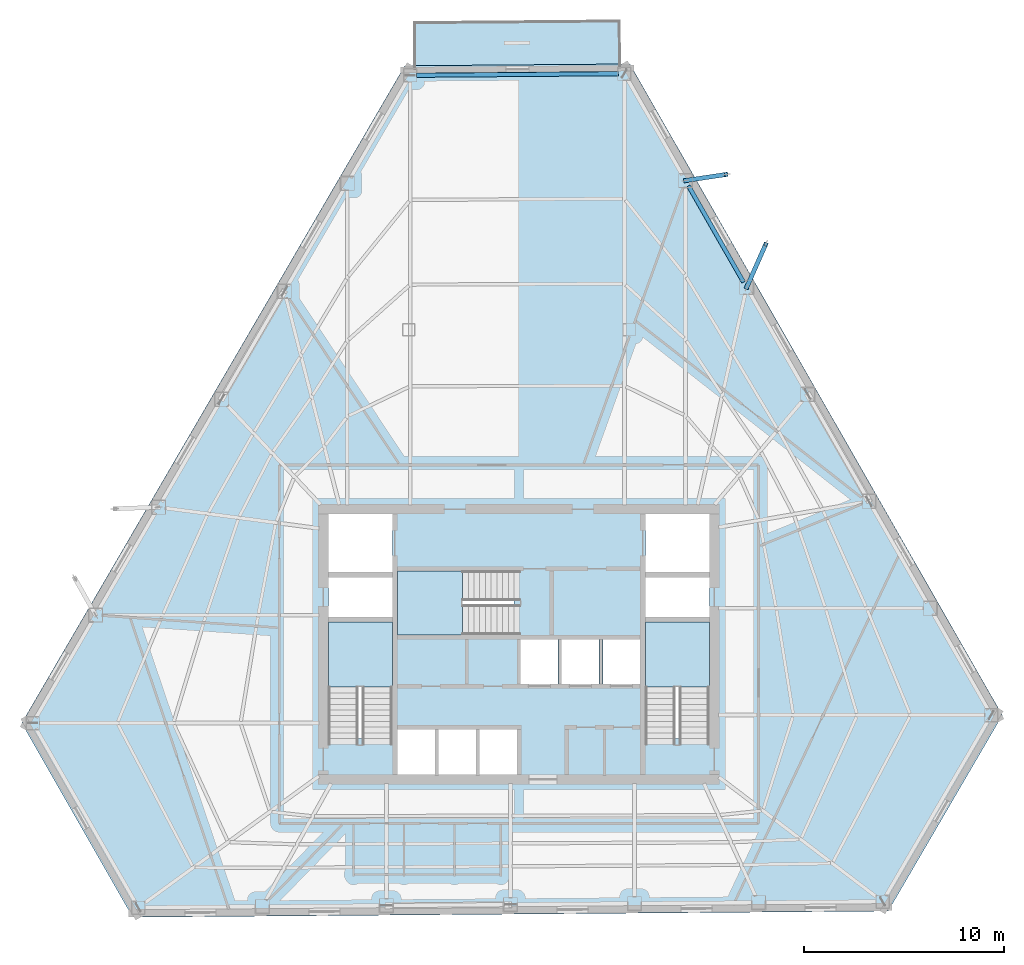
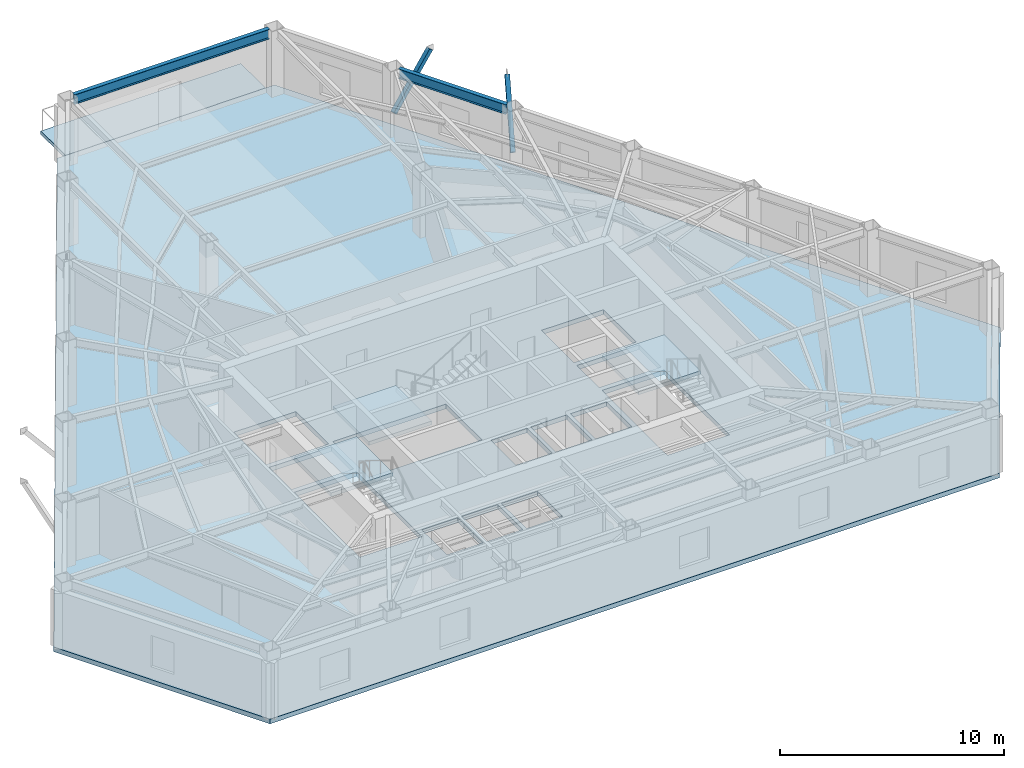
# One storey, part 3 of 12: 5 slabs, 2 beams, 2 members, 3 elements without a shape of their own.
"""IFC4 building model written with IfcOpenShell, lengths in metres."""

from ifc_helpers import new_model, si_unit, direction, frame, origin, origin_2d, place, context, subcontext, project, spatial, polyline, hollow_rectangle, i_section, outline, extrude, material, layer, layer_set, material_profile, profile_set, type_object, element, aggregate, save


model = new_model("IFC4")

# Units and contexts
model_context = context("Model", 3, precision=1e-05, world=origin(), true_north=direction((0.0, 1.0)))
body_context = subcontext(model_context, "Body", "Model", "MODEL_VIEW")
ifc_project = project(units=[si_unit("LENGTHUNIT", "METRE"), si_unit("AREAUNIT", "SQUARE_METRE"), si_unit("VOLUMEUNIT", "CUBIC_METRE"), si_unit("PLANEANGLEUNIT", "RADIAN"), si_unit("MASSUNIT", "GRAM", prefix="KILO")], contexts=[model_context])

# Site, building, storey
site_placement = place(None, origin())
site = spatial("IfcSite", under=ifc_project, at=site_placement, CompositionType="ELEMENT")
building_placement = place(site_placement, origin())
building = spatial("IfcBuilding", under=site, at=building_placement, Name="Kavelnor Concourse Tower", CompositionType="ELEMENT")
storey_placement = place(building_placement, frame((0.0, 0.0, 147.10009765625)))
storey = spatial("IfcBuildingStorey", under=building, at=storey_placement, Name="L37", CompositionType="ELEMENT", Elevation=147.10009765625)

# Beams
ifc_material_1 = material(Name="Steel Grade 350", Category="steel")
ifc_material_profile_1 = material_profile(ifc_material_1, i_section(OverallWidth=0.208984375, OverallDepth=0.532958984375, WebThickness=0.01025390625, FlangeThickness=0.015625, at=origin_2d()), Name="530UB92")
ifc_profile_set_1 = profile_set([ifc_material_profile_1], Name="Steel Grade 350")
beam_type = type_object("IfcBeamType", Name="BM-SPANDREL-Z2", PredefinedType="SPANDREL", material=ifc_profile_set_1)
beam_1_placement = place(storey_placement, frame((42.963623046875, 44.59228515625, 3.33349609375), z_axis=(-0.999967505413, -0.008061520828, 0.0), x_axis=(0.008061520828, -0.999967505413, 0.0)))
element("IfcBeam", 1, at=beam_1_placement, inside=storey, type_object=beam_type, Name="L37 Chamfer Facet Spandrel Beam C0", PredefinedType="SPANDREL", context=body_context, shape_type="SweptSolid", body=[
    extrude(i_section(OverallWidth=0.208984375, OverallDepth=0.532958984375, WebThickness=0.01025390625, FlangeThickness=0.015625, at=origin_2d()), origin(), (0.0, 0.0, 1.0), 10.084716796875),
])
beam_2_placement = place(storey_placement, frame((49.2255859375, 34.1796875, 3.33349609375), z_axis=(-0.496475765873, 0.868050582571, 0.0), x_axis=(-0.868050582571, -0.496475765873, 0.0)))
element("IfcBeam", 2, at=beam_2_placement, inside=storey, type_object=beam_type, Name="L37 Perimeter Tube Spandrel Beam F2-B4", PredefinedType="SPANDREL", context=body_context, shape_type="SweptSolid", body=[
    extrude(i_section(OverallWidth=0.208984375, OverallDepth=0.532958984375, WebThickness=0.01025390625, FlangeThickness=0.015625, at=origin_2d()), origin(), (0.0, 0.0, 1.0), 5.54150390625),
])

# Members
ifc_material_profile_2 = material_profile(ifc_material_1, hollow_rectangle(XDim=0.219970703125, YDim=0.219970703125, WallThickness=0.013916015625, at=origin_2d()), Name="SHS 220x220x14")
ifc_profile_set_2 = profile_set([ifc_material_profile_2], Name="Steel Grade 350")
member_type = type_object("IfcMemberType", Name="MBR-BALC-STRUT-220", PredefinedType="STRUT", material=ifc_profile_set_2)
member_1_placement = place(storey_placement, frame((49.377197265625, 33.914794921875, 1.0498046875), z_axis=(0.27159970734, 0.615519683956, 0.739843981955), x_axis=(-0.914892052568, 0.403698565947, 0.0)))
element("IfcMember", 3, at=member_1_placement, inside=storey, type_object=member_type, Name="L37 Tree Balcony Raking Knee Strut 1-A", PredefinedType="STRUT", context=body_context, shape_type="SweptSolid", body=[
    extrude(hollow_rectangle(XDim=0.219970703125, YDim=0.219970703125, WallThickness=0.013916015625, at=origin_2d()), origin(), (0.0, 0.0, 1.0), 3.52099609375),
])
member_2_placement = place(storey_placement, frame((46.322998046875, 39.2548828125, 1.0498046875), z_axis=(0.612643301637, 0.091672097255, 0.785025102493), x_axis=(-0.147986169145, 0.988989430551, 0.0)))
element("IfcMember", 4, at=member_2_placement, inside=storey, type_object=member_type, Name="L37 Tree Balcony Raking Knee Strut 1-B", PredefinedType="STRUT", context=body_context, shape_type="SweptSolid", body=[
    extrude(hollow_rectangle(XDim=0.219970703125, YDim=0.219970703125, WallThickness=0.013916015625, at=origin_2d()), origin(), (0.0, 0.0, 1.0), 3.318359375),
])

# Stair, slab
ifc_material_2 = material(Name="Concrete C40/50", Category="concrete")
stair_type = type_object("IfcStairType", Name="STR-CORE-1500", PredefinedType="HALF_TURN_STAIR", material=ifc_material_2)
stair_1_placement = place(storey_placement, origin())
stair_1 = element("IfcStair", 5, at=stair_1_placement, inside=storey, type_object=stair_type, Name="L37 ST1", PredefinedType="HALF_TURN_STAIR")
ifc_layer_1 = layer(ifc_material_2, 0.199951171875, Name="Concrete C40/50")
ifc_layer_set_1 = layer_set([ifc_layer_1], Name="Concrete C40/50")
slab_type_1 = type_object("IfcSlabType", Name="SLB-LANDING-200", PredefinedType="LANDING", material=ifc_layer_set_1)
slab_1_placement = place(storey_placement, frame((0.0, 0.0, 1.724853515625)))
slab_1 = element("IfcSlab", 6, at=slab_1_placement, type_object=slab_type_1, Name="ST1 landing 1", PredefinedType="LANDING", context=body_context, shape_type="SweptSolid", body=[
    extrude(outline(polyline([(31.679931640625, 13.949951171875), (31.679931640625, 17.199951171875), (28.47998046875, 17.199951171875), (28.47998046875, 13.949951171875), (31.679931640625, 13.949951171875)])), origin(), (0.0, 0.0, 1.0), 0.199951171875),
])
aggregate(stair_1, [slab_1])

stair_2_placement = place(storey_placement, origin())
stair_2 = element("IfcStair", 7, at=stair_2_placement, inside=storey, type_object=stair_type, Name="L37 ST2", PredefinedType="HALF_TURN_STAIR")
slab_2_placement = place(storey_placement, frame((0.0, 0.0, 1.724853515625)))
slab_2 = element("IfcSlab", 8, at=slab_2_placement, type_object=slab_type_1, Name="ST2 landing 1", PredefinedType="LANDING", context=body_context, shape_type="SweptSolid", body=[
    extrude(outline(polyline([(47.52001953125, 13.949951171875), (47.52001953125, 17.199951171875), (44.320068359375, 17.199951171875), (44.320068359375, 13.949951171875), (47.52001953125, 13.949951171875)])), origin(), (0.0, 0.0, 1.0), 0.199951171875),
])
aggregate(stair_2, [slab_2])

stair_3_placement = place(storey_placement, origin())
stair_3 = element("IfcStair", 9, at=stair_3_placement, inside=storey, type_object=stair_type, Name="L37 ST3", PredefinedType="HALF_TURN_STAIR")
slab_3_placement = place(storey_placement, frame((0.0, 0.0, 1.724853515625)))
slab_3 = element("IfcSlab", 10, at=slab_3_placement, type_object=slab_type_1, Name="ST3 landing 1", PredefinedType="LANDING", context=body_context, shape_type="SweptSolid", body=[
    extrude(outline(polyline([(35.18994140625, 19.760009765625), (31.93994140625, 19.760009765625), (31.93994140625, 16.56005859375), (35.18994140625, 16.56005859375), (35.18994140625, 19.760009765625)])), origin(), (0.0, 0.0, 1.0), 0.199951171875),
])
aggregate(stair_3, [slab_3])

# Slabs
ifc_layer_2 = layer(ifc_material_2, 0.25, Name="Concrete C40/50")
ifc_layer_set_2 = layer_set([ifc_layer_2], Name="Concrete C40/50")
slab_type_2 = type_object("IfcSlabType", Name="SLB-OFFICE-250", PredefinedType="FLOOR", material=ifc_layer_set_2)
slab_4_placement = place(storey_placement, frame((0.0, 0.0, -0.25)))
element("IfcSlab", 11, at=slab_4_placement, inside=storey, type_object=slab_type_2, Name="L37 Composite Structural Floor Slab", PredefinedType="FLOOR", context=body_context, shape_type="SweptSolid", body=[
    extrude(outline(polyline([(43.5458984375, 45.0771484375), (32.297119140625, 44.986328125), (13.167236328125, 12.1572265625), (18.713134765625, 2.4609375), (56.445068359375, 2.765380859375), (62.148193359375, 12.552490234375), (43.5458984375, 45.0771484375)]), holes=[polyline([(28.47998046875, 11.3798828125), (31.679931640625, 11.3798828125), (31.679931640625, 17.199951171875), (28.47998046875, 17.199951171875), (28.47998046875, 11.3798828125)]), polyline([(44.320068359375, 11.3798828125), (47.52001953125, 11.3798828125), (47.52001953125, 17.199951171875), (44.320068359375, 17.199951171875), (44.320068359375, 11.3798828125)]), polyline([(31.93994140625, 16.56005859375), (37.760009765625, 16.56005859375), (37.760009765625, 19.760009765625), (31.93994140625, 19.760009765625), (31.93994140625, 16.56005859375)]), polyline([(28.47998046875, 19.699951171875), (31.679931640625, 19.699951171875), (31.679931640625, 22.60009765625), (28.47998046875, 22.60009765625), (28.47998046875, 19.699951171875)]), polyline([(44.320068359375, 19.699951171875), (47.52001953125, 19.699951171875), (47.52001953125, 22.60009765625), (44.320068359375, 22.60009765625), (44.320068359375, 19.699951171875)]), polyline([(38.090087890625, 14.10009765625), (39.9599609375, 14.10009765625), (39.9599609375, 16.340087890625), (38.090087890625, 16.340087890625), (38.090087890625, 14.10009765625)]), polyline([(40.139892578125, 14.10009765625), (42.010009765625, 14.10009765625), (42.010009765625, 16.340087890625), (40.139892578125, 16.340087890625), (40.139892578125, 14.10009765625)]), polyline([(42.18994140625, 14.10009765625), (44.06005859375, 14.10009765625), (44.06005859375, 16.340087890625), (42.18994140625, 16.340087890625), (42.18994140625, 14.10009765625)]), polyline([(31.93994140625, 9.60009765625), (33.81005859375, 9.60009765625), (33.81005859375, 11.840087890625), (31.93994140625, 11.840087890625), (31.93994140625, 9.60009765625)]), polyline([(33.989990234375, 9.60009765625), (35.860107421875, 9.60009765625), (35.860107421875, 11.840087890625), (33.989990234375, 11.840087890625), (33.989990234375, 9.60009765625)]), polyline([(36.0400390625, 9.60009765625), (37.909912109375, 9.60009765625), (37.909912109375, 11.840087890625), (36.0400390625, 11.840087890625), (36.0400390625, 9.60009765625)]), polyline([(28.47998046875, 17.4599609375), (31.679931640625, 17.4599609375), (31.679931640625, 19.43994140625), (28.47998046875, 19.43994140625), (28.47998046875, 17.4599609375)]), polyline([(44.320068359375, 17.4599609375), (47.52001953125, 17.4599609375), (47.52001953125, 19.43994140625), (44.320068359375, 19.43994140625), (44.320068359375, 17.4599609375)])]), origin(), (0.0, 0.0, 1.0), 0.25),
])
ifc_layer_3 = layer(ifc_material_2, 0.18994140625, Name="Concrete C40/50")
ifc_layer_set_3 = layer_set([ifc_layer_3], Name="Concrete C40/50")
slab_type_3 = type_object("IfcSlabType", Name="SLB-TERRACE-190", PredefinedType="FLOOR", material=ifc_layer_set_3)
slab_5_placement = place(storey_placement, frame((0.0, 0.0, -0.190185546875)))
element("IfcSlab", 12, at=slab_5_placement, inside=storey, type_object=slab_type_3, Name="L37 Spiralling Sky Terrace Slab", PredefinedType="FLOOR", context=body_context, shape_type="SweptSolid", body=[
    extrude(outline(polyline([(32.729248046875, 47.18994140625), (43.078125, 47.2734375), (43.095703125, 45.073486328125), (32.7470703125, 44.989990234375), (32.729248046875, 47.18994140625)])), origin(), (0.0, 0.0, 1.0), 0.190185546875),
])

save(model, "model.ifc")
